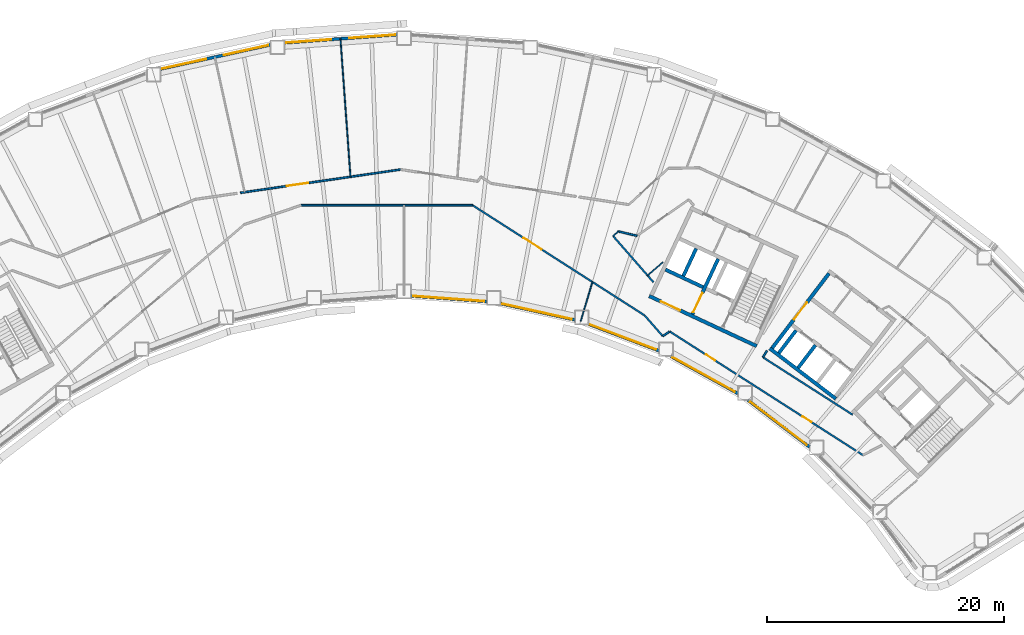
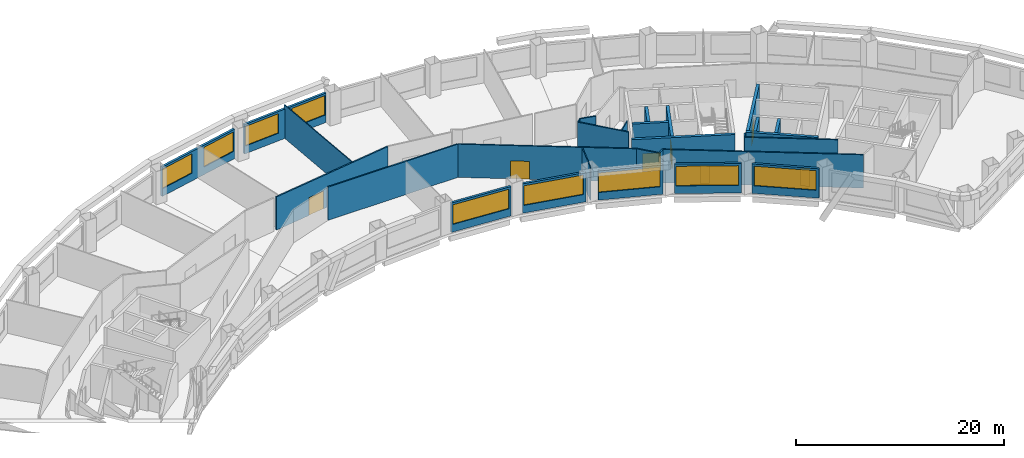
# One storey, part 5 of 11: 29 walls, 9 windows, 7 doors, 16 openings.
"""IFC4 building model written with IfcOpenShell, lengths in metres."""

from ifc_helpers import new_model, si_unit, direction, frame, frame_2d, origin, place, context, subcontext, project, spatial, rectangle, extrude, material, layer, layer_set, type_object, element, fill, save


model = new_model("IFC4")

# Units and contexts
model_context = context("Model", 3, precision=1e-05, world=origin(), true_north=direction((0.0, 1.0)))
body_context = subcontext(model_context, "Body", "Model", "MODEL_VIEW")
ifc_project = project(units=[si_unit("LENGTHUNIT", "METRE"), si_unit("AREAUNIT", "SQUARE_METRE"), si_unit("VOLUMEUNIT", "CUBIC_METRE"), si_unit("PLANEANGLEUNIT", "RADIAN"), si_unit("MASSUNIT", "GRAM", prefix="KILO")], contexts=[model_context])

# Site, building, storey
site_placement = place(None, origin())
site = spatial("IfcSite", under=ifc_project, at=site_placement, CompositionType="ELEMENT")
building_placement = place(site_placement, origin())
building = spatial("IfcBuilding", under=site, at=building_placement, Name="Tuul Gate Civic Tower", CompositionType="ELEMENT")
storey_placement = place(building_placement, frame((0.0, 0.0, 69.60009765625)))
storey = spatial("IfcBuildingStorey", under=building, at=storey_placement, Name="Level 15", CompositionType="ELEMENT", Elevation=69.60009765625)

# Wall, opening, door
ifc_material_1 = material(Name="Concrete C50/60", Category="concrete")
ifc_layer_1 = layer(ifc_material_1, 0.300048828125)
ifc_layer_set_1 = layer_set([ifc_layer_1], Name="Concrete C50/60")
wall_type_1 = type_object("IfcWallType", Name="Core wall C50/60", PredefinedType="SHEAR", material=ifc_layer_set_1)
wall_1_placement = place(storey_placement, frame((34.5283203125, -7.25, 0.0), z_axis=(0.0, 0.0, 1.0), x_axis=(-0.906310338845, 0.422612789327, 0.0)))
wall_1 = element("IfcWall", 1, at=wall_1_placement, inside=storey, type_object=wall_type_1, Name="Core wall", PredefinedType="SHEAR", context=body_context, shape_type="SweptSolid", body=[
    extrude(rectangle(XDim=9.999755859375, YDim=0.300048828125, at=frame_2d((5.0, 0.0))), origin(), (0.0, 0.0, 1.0), 3.89990234375),
])
opening_1_placement = place(wall_1_placement, frame((7.125, 0.0, 0.0)))
opening_1 = element("IfcOpeningElement", 2, at=opening_1_placement, cuts=wall_1, Name="Opening LB-E3-LOBBY-1", PredefinedType="OPENING", context=body_context, shape_type="SweptSolid", body=[
    extrude(rectangle(XDim=1.800048828125, YDim=2.10009765625, at=frame_2d((0.89990234375, 1.050048828125))), frame((0.0, 0.16015625, 0.0), z_axis=(0.0, -1.0, 0.0), x_axis=(1.0, 0.0, 0.0)), (0.0, 0.0, 1.0), 0.320068359375),
])
ifc_material_2 = material(Name="Steel", Category="steel")
door_type_1 = type_object("IfcDoorType", Name="Lobby door", OperationType="DOUBLE_DOOR_SINGLE_SWING", PredefinedType="DOOR", material=ifc_material_2)
door_1_placement = place(opening_1_placement, origin())
door_1 = element("IfcDoor", 3, at=door_1_placement, inside=storey, type_object=door_type_1, Name="Lobby door E3-LOBBY", OperationType="DOUBLE_DOOR_SINGLE_SWING", OverallHeight=2.10009765625, OverallWidth=1.800048828125, PredefinedType="DOOR", context=body_context, shape_type="SweptSolid", body=[
    extrude(rectangle(XDim=1.800048828125, YDim=2.10009765625, at=frame_2d((0.89990234375, 1.050048828125))), frame((0.0, 0.02490234375, 0.0), z_axis=(0.0, -1.0, 0.0), x_axis=(1.0, 0.0, 0.0)), (0.0, 0.0, 1.0), 0.050048828125),
])
fill(opening_1, door_1)

# Wall
wall_2_placement = place(storey_placement, frame((30.0078125, -2.2734375, 0.0), z_axis=(0.0, 0.0, 1.0), x_axis=(-0.90630071767, 0.422633421716, 0.0)))
element("IfcWall", 4, at=wall_2_placement, inside=storey, type_object=wall_type_1, Name="Core wall", PredefinedType="SHEAR", context=body_context, shape_type="SweptSolid", body=[
    extrude(rectangle(XDim=3.5, YDim=0.300048828125, at=frame_2d((1.75, 0.0))), origin(), (0.0, 0.0, 1.0), 3.89990234375),
])

# Wall, opening, door
wall_3_placement = place(storey_placement, frame((29.108642578125, -4.557373046875, 0.0), z_axis=(0.0, 0.0, 1.0), x_axis=(0.422566235356, 0.90633204552, 0.0)))
wall_3 = element("IfcWall", 5, at=wall_3_placement, inside=storey, type_object=wall_type_1, Name="Core wall", PredefinedType="SHEAR", context=body_context, shape_type="SweptSolid", body=[
    extrude(rectangle(XDim=5.150146484375, YDim=0.300048828125, at=frame_2d((2.5751953125, 0.0))), origin(), (0.0, 0.0, 1.0), 3.89990234375),
])
opening_2_placement = place(wall_3_placement, frame((0.175048828125, 0.0, 0.0)))
opening_2 = element("IfcOpeningElement", 6, at=opening_2_placement, cuts=wall_3, Name="Opening LB-E3-FLOBBY-1", PredefinedType="OPENING", context=body_context, shape_type="SweptSolid", body=[
    extrude(rectangle(XDim=1.800048828125, YDim=2.10009765625, at=frame_2d((0.89990234375, 1.050048828125))), frame((0.0, 0.16015625, 0.0), z_axis=(0.0, -1.0, 0.0), x_axis=(1.0, 0.0, 0.0)), (0.0, 0.0, 1.0), 0.320068359375),
])
door_2_placement = place(opening_2_placement, frame((1.800048828125, 0.0, 0.0), z_axis=(0.0, 0.0, 1.0), x_axis=(-1.0, 0.0, 0.0)))
door_2 = element("IfcDoor", 7, at=door_2_placement, inside=storey, type_object=door_type_1, Name="Lobby door E3-FLOBBY", OperationType="DOUBLE_DOOR_SINGLE_SWING", OverallHeight=2.10009765625, OverallWidth=1.800048828125, PredefinedType="DOOR", context=body_context, shape_type="SweptSolid", body=[
    extrude(rectangle(XDim=1.800048828125, YDim=2.10009765625, at=frame_2d((0.900146484375, 1.050048828125))), frame((0.0, 0.02490234375, 0.0), z_axis=(0.0, -1.0, 0.0), x_axis=(1.0, 0.0, 0.0)), (0.0, 0.0, 1.0), 0.050048828125),
])
fill(opening_2, door_2)

# Walls
wall_4_placement = place(storey_placement, frame((28.349365234375, -1.33447265625, 0.0), z_axis=(0.0, 0.0, 1.0), x_axis=(0.422612891016, 0.906310291427, 0.0)))
element("IfcWall", 8, at=wall_4_placement, inside=storey, type_object=wall_type_1, Name="Core wall", PredefinedType="SHEAR", context=body_context, shape_type="SweptSolid", body=[
    extrude(rectangle(XDim=2.550048828125, YDim=0.300048828125, at=frame_2d((1.27490234375, 0.0))), origin(), (0.0, 0.0, 1.0), 3.89990234375),
])
ifc_material_3 = material(Name="Gypsum board partition")
ifc_layer_2 = layer(ifc_material_3, 0.14990234375)
ifc_layer_set_2 = layer_set([ifc_layer_2], Name="Gypsum board partition")
wall_type_2 = type_object("IfcWallType", Name="Corridor wall P150", PredefinedType="PARTITIONING", material=ifc_layer_set_2)
wall_5_placement = place(storey_placement, frame((22.4287109375, 2.0283203125, 0.0), z_axis=(0.0, 0.0, 1.0), x_axis=(0.658047321648, -0.752976574982, 0.0)))
element("IfcWall", 9, at=wall_5_placement, inside=storey, type_object=wall_type_2, Name="p018", PredefinedType="PARTITIONING", context=body_context, shape_type="SweptSolid", body=[
    extrude(rectangle(XDim=5.1796875, YDim=0.14990234375, at=frame_2d((2.58984375, 0.0))), origin(), (0.0, 0.0, 1.0), 3.89990234375),
])
wall_6_placement = place(storey_placement, frame((35.044677734375, -8.18408203125, 0.0), z_axis=(0.0, 0.0, 1.0), x_axis=(0.842201765937, -0.539162485206, 0.0)))
element("IfcWall", 10, at=wall_6_placement, inside=storey, type_object=wall_type_2, Name="p021", PredefinedType="PARTITIONING", context=body_context, shape_type="SweptSolid", body=[
    extrude(rectangle(XDim=8.978759765625, YDim=0.14990234375, at=frame_2d((4.4892578125, 0.0))), origin(), (0.0, 0.0, 1.0), 3.89990234375),
])

# Wall, opening, door
wall_7_placement = place(storey_placement, frame((-8.962890625, 5.6708984375, 0.0), z_axis=(0.0, 0.0, 1.0), x_axis=(0.989601127231, 0.143838829883, 0.0)))
wall_7 = element("IfcWall", 11, at=wall_7_placement, inside=storey, type_object=wall_type_2, Name="p025", PredefinedType="PARTITIONING", context=body_context, shape_type="SweptSolid", body=[
    extrude(rectangle(XDim=13.641357421875, YDim=0.14990234375, at=frame_2d((6.82080078125, 0.0))), origin(), (0.0, 0.0, 1.0), 3.89990234375),
])
opening_3_placement = place(wall_7_placement, frame((3.95654296875, 0.0, 0.0)))
opening_3 = element("IfcOpeningElement", 12, at=opening_3_placement, cuts=wall_7, Name="Opening D-D07", PredefinedType="OPENING", context=body_context, shape_type="SweptSolid", body=[
    extrude(rectangle(XDim=1.800048828125, YDim=2.10009765625, at=frame_2d((0.89990234375, 1.050048828125))), frame((0.0, 0.0849609375, 0.0), z_axis=(0.0, -1.0, 0.0), x_axis=(1.0, 0.0, 0.0)), (0.0, 0.0, 1.0), 0.169921875),
])
ifc_material_4 = material(Name="Timber door leaf, double", Category="wood")
door_type_2 = type_object("IfcDoorType", Name="Door D18", OperationType="DOUBLE_DOOR_SINGLE_SWING", PredefinedType="DOOR", material=ifc_material_4)
door_3_placement = place(opening_3_placement, origin())
door_3 = element("IfcDoor", 13, at=door_3_placement, inside=storey, type_object=door_type_2, Name="Door D-D07", OperationType="DOUBLE_DOOR_SINGLE_SWING", OverallHeight=2.10009765625, OverallWidth=1.800048828125, PredefinedType="DOOR", context=body_context, shape_type="SweptSolid", body=[
    extrude(rectangle(XDim=1.800048828125, YDim=2.10009765625, at=frame_2d((0.89990234375, 1.050048828125))), frame((0.0, 0.02490234375, 0.0), z_axis=(0.0, -1.0, 0.0), x_axis=(1.0, 0.0, 0.0)), (0.0, 0.0, 1.0), 0.050048828125),
])
fill(opening_3, door_3)

wall_8_placement = place(storey_placement, frame((10.5986328125, 4.61572265625, 0.0), z_axis=(0.0, 0.0, 1.0), x_axis=(0.842209770604, -0.539149981266, 0.0)))
wall_8 = element("IfcWall", 14, at=wall_8_placement, inside=storey, type_object=wall_type_2, Name="p039", PredefinedType="PARTITIONING", context=body_context, shape_type="SweptSolid", body=[
    extrude(rectangle(XDim=17.196044921875, YDim=0.14990234375, at=frame_2d((8.59814453125, 0.0))), origin(), (0.0, 0.0, 1.0), 3.89990234375),
])
opening_4_placement = place(wall_8_placement, frame((5.08740234375, 0.0, 0.0)))
opening_4 = element("IfcOpeningElement", 15, at=opening_4_placement, cuts=wall_8, Name="Opening D-D15", PredefinedType="OPENING", context=body_context, shape_type="SweptSolid", body=[
    extrude(rectangle(XDim=1.800048828125, YDim=2.10009765625, at=frame_2d((0.89990234375, 1.050048828125))), frame((0.0, 0.0849609375, 0.0), z_axis=(0.0, -1.0, 0.0), x_axis=(1.0, 0.0, 0.0)), (0.0, 0.0, 1.0), 0.169921875),
])
door_4_placement = place(opening_4_placement, frame((1.800048828125, 0.0, 0.0), z_axis=(0.0, 0.0, 1.0), x_axis=(-1.0, 0.0, 0.0)))
door_4 = element("IfcDoor", 16, at=door_4_placement, inside=storey, type_object=door_type_2, Name="Door D-D15", OperationType="DOUBLE_DOOR_SINGLE_SWING", OverallHeight=2.10009765625, OverallWidth=1.800048828125, PredefinedType="DOOR", context=body_context, shape_type="SweptSolid", body=[
    extrude(rectangle(XDim=1.800048828125, YDim=2.10009765625, at=frame_2d((0.900146484375, 1.050048828125))), frame((0.0, 0.02490234375, 0.0), z_axis=(0.0, -1.0, 0.0), x_axis=(1.0, 0.0, 0.0)), (0.0, 0.0, 1.0), 0.050048828125),
])
fill(opening_4, door_4)

# Wall, openings, doors
wall_9_placement = place(storey_placement, frame((27.20166015625, -6.012939453125, 0.0), z_axis=(0.0, 0.0, 1.0), x_axis=(0.84221334931, -0.539144390905, 0.0)))
wall_9 = element("IfcWall", 17, at=wall_9_placement, inside=storey, type_object=wall_type_2, Name="p040", PredefinedType="PARTITIONING", context=body_context, shape_type="SweptSolid", body=[
    extrude(rectangle(XDim=19.325439453125, YDim=0.14990234375, at=frame_2d((9.66259765625, 0.0))), origin(), (0.0, 0.0, 1.0), 3.89990234375),
])
opening_5_placement = place(wall_9_placement, frame((13.281494140625, 0.0, 0.0)))
opening_5 = element("IfcOpeningElement", 18, at=opening_5_placement, cuts=wall_9, Name="Opening D-D13", PredefinedType="OPENING", context=body_context, shape_type="SweptSolid", body=[
    extrude(rectangle(XDim=0.89990234375, YDim=2.10009765625, at=frame_2d((0.449951171875, 1.050048828125))), frame((0.0, 0.0849609375, 0.0), z_axis=(0.0, -1.0, 0.0), x_axis=(1.0, 0.0, 0.0)), (0.0, 0.0, 1.0), 0.169921875),
])
opening_6_placement = place(wall_9_placement, frame((3.618896484375, 0.0, 0.0)))
opening_6 = element("IfcOpeningElement", 19, at=opening_6_placement, cuts=wall_9, Name="Opening D-D14", PredefinedType="OPENING", context=body_context, shape_type="SweptSolid", body=[
    extrude(rectangle(XDim=0.89990234375, YDim=2.10009765625, at=frame_2d((0.449951171875, 1.050048828125))), frame((0.0, 0.0849609375, 0.0), z_axis=(0.0, -1.0, 0.0), x_axis=(1.0, 0.0, 0.0)), (0.0, 0.0, 1.0), 0.169921875),
])
ifc_material_5 = material(Name="Timber door leaf", Category="wood")
door_type_3 = type_object("IfcDoorType", Name="Door D09", OperationType="NOTDEFINED", PredefinedType="DOOR", material=ifc_material_5)
door_5_placement = place(opening_5_placement, frame((0.89990234375, 0.0, 0.0), z_axis=(0.0, 0.0, 1.0), x_axis=(-1.0, 0.0, 0.0)))
door_5 = element("IfcDoor", 20, at=door_5_placement, inside=storey, type_object=door_type_3, Name="Door D-D13", OperationType="SINGLE_SWING_LEFT", OverallHeight=2.10009765625, OverallWidth=0.89990234375, PredefinedType="DOOR", context=body_context, shape_type="SweptSolid", body=[
    extrude(rectangle(XDim=0.89990234375, YDim=2.10009765625, at=frame_2d((0.449951171875, 1.050048828125))), frame((0.0, 0.02490234375, 0.0), z_axis=(0.0, -1.0, 0.0), x_axis=(1.0, 0.0, 0.0)), (0.0, 0.0, 1.0), 0.050048828125),
])
fill(opening_5, door_5)
door_6_placement = place(opening_6_placement, frame((0.89990234375, 0.0, 0.0), z_axis=(0.0, 0.0, 1.0), x_axis=(-1.0, 0.0, 0.0)))
door_6 = element("IfcDoor", 21, at=door_6_placement, inside=storey, type_object=door_type_3, Name="Door D-D14", OperationType="SINGLE_SWING_LEFT", OverallHeight=2.10009765625, OverallWidth=0.89990234375, PredefinedType="DOOR", context=body_context, shape_type="SweptSolid", body=[
    extrude(rectangle(XDim=0.89990234375, YDim=2.10009765625, at=frame_2d((0.449951171875, 1.050048828125))), frame((0.0, 0.02490234375, 0.0), z_axis=(0.0, -1.0, 0.0), x_axis=(1.0, 0.0, 0.0)), (0.0, 0.0, 1.0), 0.050048828125),
])
fill(opening_6, door_6)

# Walls
wall_10_placement = place(storey_placement, frame((25.085693359375, -4.6591796875, 0.0), z_axis=(0.0, 0.0, 1.0), x_axis=(0.658004838022, -0.753013700499, 0.0)))
element("IfcWall", 22, at=wall_10_placement, inside=storey, type_object=wall_type_2, Name="p043", PredefinedType="PARTITIONING", context=body_context, shape_type="SweptSolid", body=[
    extrude(rectangle(XDim=2.31787109375, YDim=0.14990234375, at=frame_2d((1.158935546875, 0.0))), origin(), (0.0, 0.0, 1.0), 3.89990234375),
])
wall_11_placement = place(storey_placement, frame((26.611572265625, -6.40478515625, 0.0), z_axis=(0.0, 0.0, 1.0), x_axis=(0.823349615955, 0.567534501071, 0.0)))
element("IfcWall", 23, at=wall_11_placement, inside=storey, type_object=wall_type_2, Name="p044", PredefinedType="PARTITIONING", context=body_context, shape_type="SweptSolid", body=[
    extrude(rectangle(XDim=0.68994140625, YDim=0.14990234375, at=frame_2d((0.344970703125, 0.0))), origin(), (0.0, 0.0, 1.0), 3.89990234375),
])
wall_12_placement = place(storey_placement, frame((-3.85595703125, 4.618896484375, 0.0), z_axis=(0.0, 0.0, 1.0), x_axis=(1.0, 0.0, 0.0)))
element("IfcWall", 24, at=wall_12_placement, inside=storey, type_object=wall_type_2, Name="p046", PredefinedType="PARTITIONING", context=body_context, shape_type="SweptSolid", body=[
    extrude(rectangle(XDim=14.44384765625, YDim=0.14990234375, at=frame_2d((7.221923828125, 0.0))), origin(), (0.0, 0.0, 1.0), 3.89990234375),
])
wall_13_placement = place(storey_placement, frame((22.87255859375, 2.416015625, 0.0), z_axis=(0.0, 0.0, 1.0), x_axis=(0.973662476825, -0.227994256996, 0.0)))
element("IfcWall", 25, at=wall_13_placement, inside=storey, type_object=wall_type_2, Name="p056", PredefinedType="PARTITIONING", context=body_context, shape_type="SweptSolid", body=[
    extrude(rectangle(XDim=1.61474609375, YDim=0.14990234375, at=frame_2d((0.807373046875, 0.0))), origin(), (0.0, 0.0, 1.0), 3.89990234375),
])
wall_14_placement = place(storey_placement, frame((35.044677734375, -8.18408203125, 0.0), z_axis=(0.0, 0.0, 1.0), x_axis=(0.540776664219, 0.841166213918, 0.0)))
element("IfcWall", 26, at=wall_14_placement, inside=storey, type_object=wall_type_2, Name="p060", PredefinedType="PARTITIONING", context=body_context, shape_type="SweptSolid", body=[
    extrude(rectangle(XDim=0.64697265625, YDim=0.14990234375, at=frame_2d((0.323486328125, 0.0))), origin(), (0.0, 0.0, 1.0), 3.89990234375),
])

# Wall, openings, windows
ifc_material_6 = material(Name="Precast concrete C40/50", Category="concrete")
ifc_layer_3 = layer(ifc_material_6, 0.25)
ifc_layer_set_3 = layer_set([ifc_layer_3], Name="Precast concrete C40/50")
wall_type_3 = type_object("IfcWallType", Name="External wall", PredefinedType="STANDARD", material=ifc_layer_set_3)
wall_15_placement = place(storey_placement, frame((4.2080078125, 18.9892578125, 0.0), z_axis=(0.0, 0.0, 1.0), x_axis=(-0.997387702814, -0.072234135106, 0.0)))
wall_15 = element("IfcWall", 27, at=wall_15_placement, inside=storey, type_object=wall_type_3, Name="External wall", PredefinedType="STANDARD", context=body_context, shape_type="SweptSolid", body=[
    extrude(rectangle(XDim=9.4736328125, YDim=0.25, at=frame_2d((4.73681640625, 0.0))), origin(), (0.0, 0.0, 1.0), 3.449951171875),
])
opening_7_placement = place(wall_15_placement, frame((0.14990234375, 0.0, 0.89990234375)))
opening_7 = element("IfcOpeningElement", 28, at=opening_7_placement, cuts=wall_15, Name="Opening W22", PredefinedType="OPENING", context=body_context, shape_type="SweptSolid", body=[
    extrude(rectangle(XDim=3.85009765625, YDim=2.300048828125, at=frame_2d((1.925048828125, 1.14990234375))), frame((0.0, 0.135009765625, 0.0), z_axis=(0.0, -1.0, 0.0), x_axis=(1.0, 0.0, 0.0)), (0.0, 0.0, 1.0), 0.27001953125),
])
opening_8_placement = place(wall_15_placement, frame((5.52099609375, 0.0, 0.89990234375)))
opening_8 = element("IfcOpeningElement", 29, at=opening_8_placement, cuts=wall_15, Name="Opening W22", PredefinedType="OPENING", context=body_context, shape_type="SweptSolid", body=[
    extrude(rectangle(XDim=3.85009765625, YDim=2.300048828125, at=frame_2d((1.925048828125, 1.14990234375))), frame((0.0, 0.135009765625, 0.0), z_axis=(0.0, -1.0, 0.0), x_axis=(1.0, 0.0, 0.0)), (0.0, 0.0, 1.0), 0.27001953125),
])
ifc_material_7 = material(Name="Glass", Category="glass")
window_type_1 = type_object("IfcWindowType", Name="Window W22 3850 x 2300", PartitioningType="SINGLE_PANEL", PredefinedType="WINDOW", material=ifc_material_7)
window_1_placement = place(opening_7_placement, origin())
window_1 = element("IfcWindow", 30, at=window_1_placement, inside=storey, type_object=window_type_1, Name="Window", OverallHeight=2.300048828125, OverallWidth=3.85009765625, PartitioningType="SINGLE_PANEL", PredefinedType="WINDOW", context=body_context, shape_type="SweptSolid", body=[
    extrude(rectangle(XDim=3.85009765625, YDim=2.300048828125, at=frame_2d((1.925048828125, 1.14990234375))), frame((0.0, 0.030029296875, 0.0), z_axis=(0.0, -1.0, 0.0), x_axis=(1.0, 0.0, 0.0)), (0.0, 0.0, 1.0), 0.06005859375),
])
fill(opening_7, window_1)
window_2_placement = place(opening_8_placement, origin())
window_2 = element("IfcWindow", 31, at=window_2_placement, inside=storey, type_object=window_type_1, Name="Window", OverallHeight=2.300048828125, OverallWidth=3.85009765625, PartitioningType="SINGLE_PANEL", PredefinedType="WINDOW", context=body_context, shape_type="SweptSolid", body=[
    extrude(rectangle(XDim=3.85009765625, YDim=2.300048828125, at=frame_2d((1.925048828125, 1.14990234375))), frame((0.0, 0.030029296875, 0.0), z_axis=(0.0, -1.0, 0.0), x_axis=(1.0, 0.0, 0.0)), (0.0, 0.0, 1.0), 0.06005859375),
])
fill(opening_8, window_2)

wall_16_placement = place(storey_placement, frame((-6.44091796875, 18.135986328125, 0.0), z_axis=(0.0, 0.0, 1.0), x_axis=(-0.976566757171, -0.215214703934, 0.0)))
wall_16 = element("IfcWall", 32, at=wall_16_placement, inside=storey, type_object=wall_type_3, Name="External wall", PredefinedType="STANDARD", context=body_context, shape_type="SweptSolid", body=[
    extrude(rectangle(XDim=9.448486328125, YDim=0.25, at=frame_2d((4.72412109375, 0.0))), origin(), (0.0, 0.0, 1.0), 3.449951171875),
])
opening_9_placement = place(wall_16_placement, frame((0.185302734375, 0.0, 0.89990234375)))
opening_9 = element("IfcOpeningElement", 33, at=opening_9_placement, cuts=wall_16, Name="Opening W22", PredefinedType="OPENING", context=body_context, shape_type="SweptSolid", body=[
    extrude(rectangle(XDim=3.85009765625, YDim=2.300048828125, at=frame_2d((1.925048828125, 1.14990234375))), frame((0.0, 0.135009765625, 0.0), z_axis=(0.0, -1.0, 0.0), x_axis=(1.0, 0.0, 0.0)), (0.0, 0.0, 1.0), 0.27001953125),
])
opening_10_placement = place(wall_16_placement, frame((5.556640625, 0.0, 0.89990234375)))
opening_10 = element("IfcOpeningElement", 34, at=opening_10_placement, cuts=wall_16, Name="Opening W22", PredefinedType="OPENING", context=body_context, shape_type="SweptSolid", body=[
    extrude(rectangle(XDim=3.85009765625, YDim=2.300048828125, at=frame_2d((1.925048828125, 1.14990234375))), frame((0.0, 0.135009765625, 0.0), z_axis=(0.0, -1.0, 0.0), x_axis=(1.0, 0.0, 0.0)), (0.0, 0.0, 1.0), 0.27001953125),
])
window_3_placement = place(opening_9_placement, origin())
window_3 = element("IfcWindow", 35, at=window_3_placement, inside=storey, type_object=window_type_1, Name="Window", OverallHeight=2.300048828125, OverallWidth=3.85009765625, PartitioningType="SINGLE_PANEL", PredefinedType="WINDOW", context=body_context, shape_type="SweptSolid", body=[
    extrude(rectangle(XDim=3.85009765625, YDim=2.300048828125, at=frame_2d((1.925048828125, 1.14990234375))), frame((0.0, 0.030029296875, 0.0), z_axis=(0.0, -1.0, 0.0), x_axis=(1.0, 0.0, 0.0)), (0.0, 0.0, 1.0), 0.06005859375),
])
fill(opening_9, window_3)
window_4_placement = place(opening_10_placement, origin())
window_4 = element("IfcWindow", 36, at=window_4_placement, inside=storey, type_object=window_type_1, Name="Window", OverallHeight=2.300048828125, OverallWidth=3.85009765625, PartitioningType="SINGLE_PANEL", PredefinedType="WINDOW", context=body_context, shape_type="SweptSolid", body=[
    extrude(rectangle(XDim=3.85009765625, YDim=2.300048828125, at=frame_2d((1.925048828125, 1.14990234375))), frame((0.0, 0.030029296875, 0.0), z_axis=(0.0, -1.0, 0.0), x_axis=(1.0, 0.0, 0.0)), (0.0, 0.0, 1.0), 0.06005859375),
])
fill(opening_10, window_4)

# Wall, opening, window
wall_17_placement = place(storey_placement, frame((5.407958984375, -3.01806640625, 0.0), z_axis=(0.0, 0.0, 1.0), x_axis=(0.997382879348, -0.072300705277, 0.0)))
wall_17 = element("IfcWall", 37, at=wall_17_placement, inside=storey, type_object=wall_type_3, Name="External wall", PredefinedType="STANDARD", context=body_context, shape_type="SweptSolid", body=[
    extrude(rectangle(XDim=6.388671875, YDim=0.25, at=frame_2d((3.1943359375, 0.0))), origin(), (0.0, 0.0, 1.0), 3.449951171875),
])
opening_11_placement = place(wall_17_placement, frame((0.1708984375, 0.0, 0.89990234375)))
opening_11 = element("IfcOpeningElement", 38, at=opening_11_placement, cuts=wall_17, Name="Opening W26", PredefinedType="OPENING", context=body_context, shape_type="SweptSolid", body=[
    extrude(rectangle(XDim=6.0, YDim=2.300048828125, at=frame_2d((3.0, 1.14990234375))), frame((0.0, 0.135009765625, 0.0), z_axis=(0.0, -1.0, 0.0), x_axis=(1.0, 0.0, 0.0)), (0.0, 0.0, 1.0), 0.27001953125),
])
ifc_material_8 = material(Name="Glass", Category="glass")
window_type_2 = type_object("IfcWindowType", Name="Window W26 6000 x 2300", PartitioningType="SINGLE_PANEL", PredefinedType="WINDOW", material=ifc_material_8)
window_5_placement = place(opening_11_placement, origin())
window_5 = element("IfcWindow", 39, at=window_5_placement, inside=storey, type_object=window_type_2, Name="Window", OverallHeight=2.300048828125, OverallWidth=6.0, PartitioningType="SINGLE_PANEL", PredefinedType="WINDOW", context=body_context, shape_type="SweptSolid", body=[
    extrude(rectangle(XDim=6.0, YDim=2.300048828125, at=frame_2d((3.0, 1.14990234375))), frame((0.0, 0.030029296875, 0.0), z_axis=(0.0, -1.0, 0.0), x_axis=(1.0, 0.0, 0.0)), (0.0, 0.0, 1.0), 0.06005859375),
])
fill(opening_11, window_5)

wall_18_placement = place(storey_placement, frame((12.97998046875, -3.66259765625, 0.0), z_axis=(0.0, 0.0, 1.0), x_axis=(0.97656114485, -0.215240169041, 0.0)))
wall_18 = element("IfcWall", 40, at=wall_18_placement, inside=storey, type_object=wall_type_3, Name="External wall", PredefinedType="STANDARD", context=body_context, shape_type="SweptSolid", body=[
    extrude(rectangle(XDim=6.36328125, YDim=0.25, at=frame_2d((3.181640625, 0.0))), origin(), (0.0, 0.0, 1.0), 3.449951171875),
])
opening_12_placement = place(wall_18_placement, frame((0.10986328125, 0.0, 0.89990234375)))
opening_12 = element("IfcOpeningElement", 41, at=opening_12_placement, cuts=wall_18, Name="Opening W26", PredefinedType="OPENING", context=body_context, shape_type="SweptSolid", body=[
    extrude(rectangle(XDim=6.0, YDim=2.300048828125, at=frame_2d((3.0, 1.14990234375))), frame((0.0, 0.135009765625, 0.0), z_axis=(0.0, -1.0, 0.0), x_axis=(1.0, 0.0, 0.0)), (0.0, 0.0, 1.0), 0.27001953125),
])
window_6_placement = place(opening_12_placement, origin())
window_6 = element("IfcWindow", 42, at=window_6_placement, inside=storey, type_object=window_type_2, Name="Window", OverallHeight=2.300048828125, OverallWidth=6.0, PartitioningType="SINGLE_PANEL", PredefinedType="WINDOW", context=body_context, shape_type="SweptSolid", body=[
    extrude(rectangle(XDim=6.0, YDim=2.300048828125, at=frame_2d((3.0, 1.14990234375))), frame((0.0, 0.030029296875, 0.0), z_axis=(0.0, -1.0, 0.0), x_axis=(1.0, 0.0, 0.0)), (0.0, 0.0, 1.0), 0.06005859375),
])
fill(opening_12, window_6)

wall_19_placement = place(storey_placement, frame((20.39404296875, -5.406005859375, 0.0), z_axis=(0.0, 0.0, 1.0), x_axis=(0.935355477431, -0.353709104829, 0.0)))
wall_19 = element("IfcWall", 43, at=wall_19_placement, inside=storey, type_object=wall_type_3, Name="External wall", PredefinedType="STANDARD", context=body_context, shape_type="SweptSolid", body=[
    extrude(rectangle(XDim=6.30859375, YDim=0.25, at=frame_2d((3.154296875, 0.0))), origin(), (0.0, 0.0, 1.0), 3.449951171875),
])
opening_13_placement = place(wall_19_placement, frame((0.03125, 0.0, 0.89990234375)))
opening_13 = element("IfcOpeningElement", 44, at=opening_13_placement, cuts=wall_19, Name="Opening W26", PredefinedType="OPENING", context=body_context, shape_type="SweptSolid", body=[
    extrude(rectangle(XDim=6.0, YDim=2.300048828125, at=frame_2d((3.0, 1.14990234375))), frame((0.0, 0.135009765625, 0.0), z_axis=(0.0, -1.0, 0.0), x_axis=(1.0, 0.0, 0.0)), (0.0, 0.0, 1.0), 0.27001953125),
])
window_7_placement = place(opening_13_placement, origin())
window_7 = element("IfcWindow", 45, at=window_7_placement, inside=storey, type_object=window_type_2, Name="Window", OverallHeight=2.300048828125, OverallWidth=6.0, PartitioningType="SINGLE_PANEL", PredefinedType="WINDOW", context=body_context, shape_type="SweptSolid", body=[
    extrude(rectangle(XDim=6.0, YDim=2.300048828125, at=frame_2d((3.0, 1.14990234375))), frame((0.0, 0.030029296875, 0.0), z_axis=(0.0, -1.0, 0.0), x_axis=(1.0, 0.0, 0.0)), (0.0, 0.0, 1.0), 0.06005859375),
])
fill(opening_13, window_7)

wall_20_placement = place(storey_placement, frame((27.307373046875, -8.116943359375, 0.0), z_axis=(0.0, 0.0, 1.0), x_axis=(0.874625787744, -0.484798650384, 0.0)))
wall_20 = element("IfcWall", 46, at=wall_20_placement, inside=storey, type_object=wall_type_3, Name="External wall", PredefinedType="STANDARD", context=body_context, shape_type="SweptSolid", body=[
    extrude(rectangle(XDim=6.434326171875, YDim=0.25, at=frame_2d((3.21728515625, 0.0))), origin(), (0.0, 0.0, 1.0), 3.449951171875),
])
opening_14_placement = place(wall_20_placement, frame((0.143798828125, 0.0, 0.89990234375)))
opening_14 = element("IfcOpeningElement", 47, at=opening_14_placement, cuts=wall_20, Name="Opening W26", PredefinedType="OPENING", context=body_context, shape_type="SweptSolid", body=[
    extrude(rectangle(XDim=6.0, YDim=2.300048828125, at=frame_2d((3.0, 1.14990234375))), frame((0.0, 0.135009765625, 0.0), z_axis=(0.0, -1.0, 0.0), x_axis=(1.0, 0.0, 0.0)), (0.0, 0.0, 1.0), 0.27001953125),
])
window_8_placement = place(opening_14_placement, origin())
window_8 = element("IfcWindow", 48, at=window_8_placement, inside=storey, type_object=window_type_2, Name="Window", OverallHeight=2.300048828125, OverallWidth=6.0, PartitioningType="SINGLE_PANEL", PredefinedType="WINDOW", context=body_context, shape_type="SweptSolid", body=[
    extrude(rectangle(XDim=6.0, YDim=2.300048828125, at=frame_2d((3.0, 1.14990234375))), frame((0.0, 0.030029296875, 0.0), z_axis=(0.0, -1.0, 0.0), x_axis=(1.0, 0.0, 0.0)), (0.0, 0.0, 1.0), 0.06005859375),
])
fill(opening_14, window_8)

wall_21_placement = place(storey_placement, frame((33.785888671875, -11.797119140625, 0.0), z_axis=(0.0, 0.0, 1.0), x_axis=(0.795581202254, -0.605846969639, 0.0)))
wall_21 = element("IfcWall", 49, at=wall_21_placement, inside=storey, type_object=wall_type_3, Name="External wall", PredefinedType="STANDARD", context=body_context, shape_type="SweptSolid", body=[
    extrude(rectangle(XDim=6.5224609375, YDim=0.25, at=frame_2d((3.26123046875, 0.0))), origin(), (0.0, 0.0, 1.0), 3.449951171875),
])
opening_15_placement = place(wall_21_placement, frame((0.232666015625, 0.0, 0.89990234375)))
opening_15 = element("IfcOpeningElement", 50, at=opening_15_placement, cuts=wall_21, Name="Opening W26", PredefinedType="OPENING", context=body_context, shape_type="SweptSolid", body=[
    extrude(rectangle(XDim=6.0, YDim=2.300048828125, at=frame_2d((3.0, 1.14990234375))), frame((0.0, 0.135009765625, 0.0), z_axis=(0.0, -1.0, 0.0), x_axis=(1.0, 0.0, 0.0)), (0.0, 0.0, 1.0), 0.27001953125),
])
window_9_placement = place(opening_15_placement, origin())
window_9 = element("IfcWindow", 51, at=window_9_placement, inside=storey, type_object=window_type_2, Name="Window", OverallHeight=2.300048828125, OverallWidth=6.0, PartitioningType="SINGLE_PANEL", PredefinedType="WINDOW", context=body_context, shape_type="SweptSolid", body=[
    extrude(rectangle(XDim=6.0, YDim=2.300048828125, at=frame_2d((3.0, 1.14990234375))), frame((0.0, 0.030029296875, 0.0), z_axis=(0.0, -1.0, 0.0), x_axis=(1.0, 0.0, 0.0)), (0.0, 0.0, 1.0), 0.06005859375),
])
fill(opening_15, window_9)

# Walls
ifc_material_9 = material(Name="Concrete C40/50", Category="concrete")
ifc_layer_4 = layer(ifc_material_9, 0.300048828125)
ifc_layer_set_4 = layer_set([ifc_layer_4], Name="Concrete C40/50")
wall_type_4 = type_object("IfcWallType", Name="Lift shaft wall C40/50", PredefinedType="STANDARD", material=ifc_layer_set_4)
wall_22_placement = place(storey_placement, frame((41.19189453125, -11.677734375, 0.0), z_axis=(0.0, 0.0, 1.0), x_axis=(-0.795563000331, 0.605870871147, 0.0)))
element("IfcWall", 52, at=wall_22_placement, inside=storey, type_object=wall_type_4, Name="Shaft wall", PredefinedType="STANDARD", context=body_context, shape_type="SweptSolid", body=[
    extrude(rectangle(XDim=7.000244140625, YDim=0.300048828125, at=frame_2d((3.5, 0.0))), origin(), (0.0, 0.0, 1.0), 3.89990234375),
])
wall_23_placement = place(storey_placement, frame((38.02099609375, -9.07421875, 0.0), z_axis=(0.0, 0.0, 1.0), x_axis=(0.605730519254, 0.795669867498, 0.0)))
element("IfcWall", 53, at=wall_23_placement, inside=storey, type_object=wall_type_4, Name="Shaft wall", PredefinedType="STANDARD", context=body_context, shape_type="SweptSolid", body=[
    extrude(rectangle(XDim=2.399658203125, YDim=0.300048828125, at=frame_2d((1.19970703125, 0.0))), origin(), (0.0, 0.0, 1.0), 3.89990234375),
])
wall_24_placement = place(storey_placement, frame((36.389892578125, -7.832275390625, 0.0), z_axis=(0.0, 0.0, 1.0), x_axis=(0.605745892068, 0.79565816419, 0.0)))
element("IfcWall", 54, at=wall_24_placement, inside=storey, type_object=wall_type_4, Name="Shaft wall", PredefinedType="STANDARD", context=body_context, shape_type="SweptSolid", body=[
    extrude(rectangle(XDim=2.400146484375, YDim=0.300048828125, at=frame_2d((1.2001953125, 0.0))), origin(), (0.0, 0.0, 1.0), 3.89990234375),
])

# Wall, opening, door
wall_25_placement = place(storey_placement, frame((35.8330078125, -7.408203125, 0.0), z_axis=(0.0, 0.0, 1.0), x_axis=(0.605769437763, 0.795640237967, 0.0)))
wall_25 = element("IfcWall", 55, at=wall_25_placement, inside=storey, type_object=wall_type_4, Name="Shaft wall", PredefinedType="STANDARD", context=body_context, shape_type="SweptSolid", body=[
    extrude(rectangle(XDim=7.900146484375, YDim=0.300048828125, at=frame_2d((3.9501953125, 0.0))), origin(), (0.0, 0.0, 1.0), 3.89990234375),
])
opening_16_placement = place(wall_25_placement, frame((3.02490234375, 0.0, 0.0)))
opening_16 = element("IfcOpeningElement", 56, at=opening_16_placement, cuts=wall_25, Name="Opening LB-E2-LOBBY-1", PredefinedType="OPENING", context=body_context, shape_type="SweptSolid", body=[
    extrude(rectangle(XDim=1.800048828125, YDim=2.10009765625, at=frame_2d((0.89990234375, 1.050048828125))), frame((0.0, 0.16015625, 0.0), z_axis=(0.0, -1.0, 0.0), x_axis=(1.0, 0.0, 0.0)), (0.0, 0.0, 1.0), 0.320068359375),
])
door_7_placement = place(opening_16_placement, frame((1.800048828125, 0.0, 0.0), z_axis=(0.0, 0.0, 1.0), x_axis=(-1.0, 0.0, 0.0)))
door_7 = element("IfcDoor", 57, at=door_7_placement, inside=storey, type_object=door_type_1, Name="Lobby door E2-LOBBY", OperationType="DOUBLE_DOOR_SINGLE_SWING", OverallHeight=2.10009765625, OverallWidth=1.800048828125, PredefinedType="DOOR", context=body_context, shape_type="SweptSolid", body=[
    extrude(rectangle(XDim=1.800048828125, YDim=2.10009765625, at=frame_2d((0.900146484375, 1.050048828125))), frame((0.0, 0.02490234375, 0.0), z_axis=(0.0, -1.0, 0.0), x_axis=(1.0, 0.0, 0.0)), (0.0, 0.0, 1.0), 0.050048828125),
])
fill(opening_16, door_7)

# Walls
ifc_material_10 = material(Name="Gypsum board partition")
ifc_layer_5 = layer(ifc_material_10, 0.10009765625)
ifc_layer_set_5 = layer_set([ifc_layer_5], Name="Gypsum board partition")
wall_type_5 = type_object("IfcWallType", Name="Partition P100", PredefinedType="PARTITIONING", material=ifc_layer_set_5)
wall_26_placement = place(storey_placement, frame((-0.540283203125, 18.650390625, 0.0), z_axis=(0.0, 0.0, 1.0), x_axis=(0.072237744716, -0.997387441388, 0.0)))
element("IfcWall", 58, at=wall_26_placement, inside=storey, type_object=wall_type_5, Name="p023", PredefinedType="PARTITIONING", context=body_context, shape_type="SweptSolid", body=[
    extrude(rectangle(XDim=11.663330078125, YDim=0.10009765625, at=frame_2d((5.83154296875, 0.0))), origin(), (0.0, 0.0, 1.0), 3.89990234375),
])
wall_27_placement = place(storey_placement, frame((19.69970703125, -5.148681640625, 0.0), z_axis=(0.0, 0.0, 1.0), x_axis=(0.285205633135, 0.958466351432, 0.0)))
element("IfcWall", 59, at=wall_27_placement, inside=storey, type_object=wall_type_5, Name="p042", PredefinedType="PARTITIONING", context=body_context, shape_type="SweptSolid", body=[
    extrude(rectangle(XDim=3.451416015625, YDim=0.10009765625, at=frame_2d((1.7255859375, 0.0))), origin(), (0.0, 0.0, 1.0), 3.89990234375),
])
wall_28_placement = place(storey_placement, frame((25.337158203125, -1.300048828125, 0.0), z_axis=(0.0, 0.0, 1.0), x_axis=(0.752972670008, 0.658051789924, 0.0)))
element("IfcWall", 60, at=wall_28_placement, inside=storey, type_object=wall_type_5, Name="p059", PredefinedType="PARTITIONING", context=body_context, shape_type="SweptSolid", body=[
    extrude(rectangle(XDim=1.718017578125, YDim=0.10009765625, at=frame_2d((0.85888671875, 0.0))), origin(), (0.0, 0.0, 1.0), 3.89990234375),
])
wall_29_placement = place(storey_placement, frame((22.4287109375, 2.0283203125, 0.0), z_axis=(0.0, 0.0, 1.0), x_axis=(0.753140997064, 0.657859132749, 0.0)))
element("IfcWall", 61, at=wall_29_placement, inside=storey, type_object=wall_type_5, Name="p066", PredefinedType="PARTITIONING", context=body_context, shape_type="SweptSolid", body=[
    extrude(rectangle(XDim=0.58935546875, YDim=0.10009765625, at=frame_2d((0.294677734375, 0.0))), origin(), (0.0, 0.0, 1.0), 3.89990234375),
])

save(model, "model.ifc")
